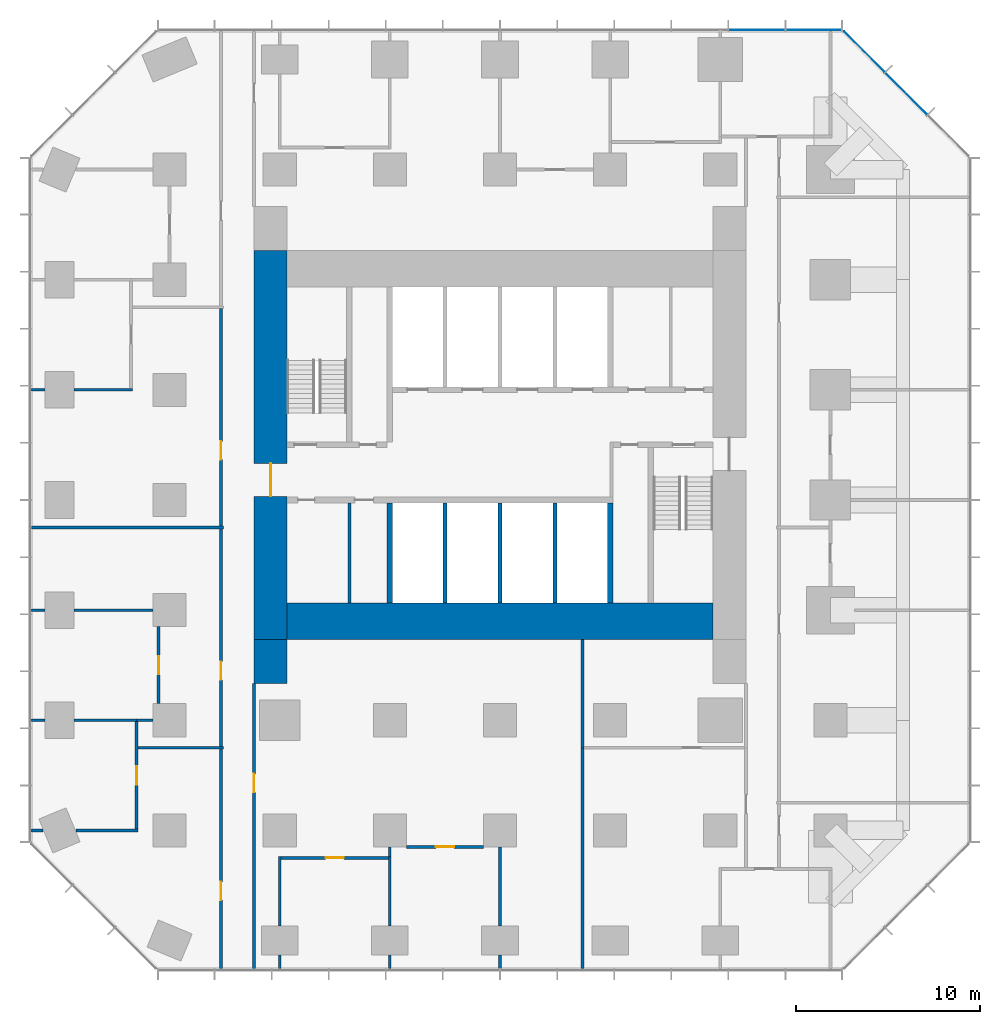
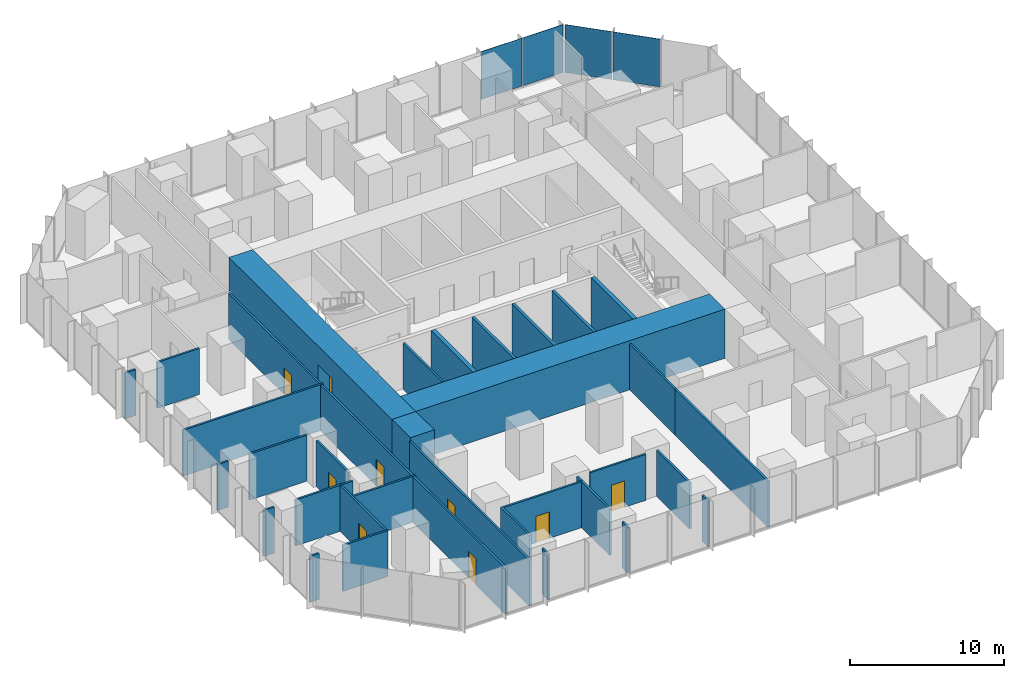
# One storey, part 8 of 12: 37 walls, 9 doors, 4 plates, 9 openings, 2 elements without a shape of their own.
"""IFC4 building model written with IfcOpenShell, lengths in metres."""

from ifc_helpers import new_model, si_unit, direction, frame, frame_2d, origin, origin_2d, place, context, subcontext, project, spatial, rectangle, extrude, material, layer, layer_set, type_object, element, fill, aggregate, save


model = new_model("IFC4")

# Units and contexts
model_context = context("Model", 3, precision=1e-05, world=origin(), true_north=direction((0.0, 1.0)))
body_context = subcontext(model_context, "Body", "Model", "MODEL_VIEW")
ifc_project = project(units=[si_unit("LENGTHUNIT", "METRE"), si_unit("AREAUNIT", "SQUARE_METRE"), si_unit("VOLUMEUNIT", "CUBIC_METRE"), si_unit("PLANEANGLEUNIT", "RADIAN"), si_unit("MASSUNIT", "GRAM", prefix="KILO")], contexts=[model_context])

# Site, building, storey
site_placement = place(None, origin())
site = spatial("IfcSite", under=ifc_project, at=site_placement, CompositionType="ELEMENT")
building_placement = place(site_placement, origin())
building = spatial("IfcBuilding", under=site, at=building_placement, Name="Highveld Stack Headquarters", CompositionType="ELEMENT")
storey_placement = place(building_placement, frame((0.0, 0.0, 53.300048828125)))
storey = spatial("IfcBuildingStorey", under=building, at=storey_placement, Name="L12", CompositionType="ELEMENT", Elevation=53.300048828125)

# Curtain wall, plates
ifc_material_1 = material(Name="Aluminium bronze anodised", Category="aluminium")
ifc_layer_1 = layer(ifc_material_1, 0.199951171875)
ifc_layer_set_1 = layer_set([ifc_layer_1], Name="Aluminium bronze anodised")
curtain_wall_type_1 = type_object("IfcCurtainWallType", Name="CW1 TOWER UNITISED CURTAIN WALL", PredefinedType="NOTDEFINED", material=ifc_layer_set_1)
curtain_wall_1_placement = place(storey_placement, origin())
curtain_wall_1 = element("IfcCurtainWall", 1, at=curtain_wall_1_placement, inside=storey, type_object=curtain_wall_type_1, Name="Curtain wall CW1 L12 N", PredefinedType="NOTDEFINED")
ifc_material_2 = material(Name="Glass bronze tinted double glazed unit", Category="glass")
ifc_layer_2 = layer(ifc_material_2, 0.028076171875)
ifc_layer_set_2 = layer_set([ifc_layer_2], Name="Glass bronze tinted double glazed unit")
plate_type_1 = type_object("IfcPlateType", Name="CW1 PANEL BRONZE TINTED DOUBLE GLAZED UNIT", PredefinedType="CURTAIN_PANEL", material=ifc_layer_set_2)
plate_1_placement = place(storey_placement, frame((23.09130859375, 25.60009765625, 0.10009765625), z_axis=(0.0, 0.0, 1.0), x_axis=(-1.0, 0.0, 0.0)))
plate_1 = element("IfcPlate", 2, at=plate_1_placement, type_object=plate_type_1, Name="CW1 panel L12 1.1", PredefinedType="CURTAIN_PANEL", context=body_context, shape_type="SweptSolid", body=[
    extrude(rectangle(XDim=3.012939453125, YDim=0.028076171875, at=origin_2d()), origin(), (0.0, 0.0, 1.0), 3.800048828125),
])
plate_2_placement = place(storey_placement, frame((19.9970703125, 25.60009765625, 0.10009765625), z_axis=(0.0, 0.0, 1.0), x_axis=(-1.0, 0.0, 0.0)))
plate_2 = element("IfcPlate", 3, at=plate_2_placement, type_object=plate_type_1, Name="CW1 panel L12 2.1", PredefinedType="CURTAIN_PANEL", context=body_context, shape_type="SweptSolid", body=[
    extrude(rectangle(XDim=3.04541015625, YDim=0.028076171875, at=origin_2d()), origin(), (0.0, 0.0, 1.0), 3.800048828125),
])
aggregate(curtain_wall_1, [plate_1, plate_2])

ifc_material_3 = material(Name="Aluminium bronze anodised", Category="aluminium")
ifc_layer_3 = layer(ifc_material_3, 0.199951171875)
ifc_layer_set_3 = layer_set([ifc_layer_3], Name="Aluminium bronze anodised")
curtain_wall_type_2 = type_object("IfcCurtainWallType", Name="CW2 TOWER CHAMFER UNITISED CURTAIN WALL", PredefinedType="NOTDEFINED", material=ifc_layer_set_3)
curtain_wall_2_placement = place(storey_placement, origin())
curtain_wall_2 = element("IfcCurtainWall", 4, at=curtain_wall_2_placement, inside=storey, type_object=curtain_wall_type_2, Name="Curtain wall CW2 L12 NE", PredefinedType="NOTDEFINED")
ifc_material_4 = material(Name="Glass bronze tinted double glazed unit", Category="glass")
ifc_layer_4 = layer(ifc_material_4, 0.028076171875)
ifc_layer_set_4 = layer_set([ifc_layer_4], Name="Glass bronze tinted double glazed unit")
plate_type_2 = type_object("IfcPlateType", Name="CW2 PANEL BRONZE TINTED DOUBLE GLAZED UNIT", PredefinedType="CURTAIN_PANEL", material=ifc_layer_set_4)
plate_3_placement = place(storey_placement, frame((28.13134765625, 22.13134765625, 0.10009765625), z_axis=(0.0, 0.0, 1.0), x_axis=(-0.707106781187, 0.707106781187, 0.0)))
plate_3 = element("IfcPlate", 5, at=plate_3_placement, type_object=plate_type_2, Name="CW2 panel L12 2.1", PredefinedType="CURTAIN_PANEL", context=body_context, shape_type="SweptSolid", body=[
    extrude(rectangle(XDim=3.205322265625, YDim=0.028076171875, at=origin_2d()), origin(), (0.0, 0.0, 1.0), 3.800048828125),
])
plate_4_placement = place(storey_placement, frame((25.8427734375, 24.419921875, 0.10009765625), z_axis=(0.0, 0.0, 1.0), x_axis=(-0.707106781187, 0.707106781187, 0.0)))
plate_4 = element("IfcPlate", 6, at=plate_4_placement, type_object=plate_type_2, Name="CW2 panel L12 3.1", PredefinedType="CURTAIN_PANEL", context=body_context, shape_type="SweptSolid", body=[
    extrude(rectangle(XDim=3.1376953125, YDim=0.028076171875, at=origin_2d()), origin(), (0.0, 0.0, 1.0), 3.800048828125),
])
aggregate(curtain_wall_2, [plate_3, plate_4])

# Wall, opening, door
ifc_material_5 = material(Name="Concrete C60/75", Category="concrete")
ifc_layer_5 = layer(ifc_material_5, 1.800048828125)
ifc_layer_set_5 = layer_set([ifc_layer_5], Name="Concrete C60/75")
wall_type_1 = type_object("IfcWallType", Name="CORE WALL 1800 C60/75", PredefinedType="SHEAR", material=ifc_layer_set_5)
wall_1_placement = place(storey_placement, frame((-6.5, -7.60009765625, 0.0), z_axis=(0.0, 0.0, 1.0), x_axis=(0.0, 1.0, 0.0)))
wall_1 = element("IfcWall", 7, at=wall_1_placement, inside=storey, type_object=wall_type_1, Name="Core wall W L12", PredefinedType="SHEAR", context=body_context, shape_type="SweptSolid", body=[
    extrude(rectangle(XDim=21.2001953125, YDim=1.800048828125, at=frame_2d((10.60009765625, 0.0))), origin(), (0.0, 0.0, 1.0), 3.89990234375),
])
opening_1_placement = place(wall_1_placement, frame((7.800048828125, 0.0, 0.0)))
opening_1 = element("IfcOpeningElement", 8, at=opening_1_placement, cuts=wall_1, Name="Opening L12-01", PredefinedType="OPENING", context=body_context, shape_type="SweptSolid", body=[
    extrude(rectangle(XDim=1.800048828125, YDim=2.39990234375, at=frame_2d((0.89990234375, 1.199951171875))), frame((0.0, 0.909912109375, 0.0), z_axis=(0.0, -1.0, 0.0), x_axis=(1.0, 0.0, 0.0)), (0.0, 0.0, 1.0), 1.820068359375),
])
ifc_material_6 = material(Name="Steel fire door", Category="steel")
door_type_1 = type_object("IfcDoorType", Name="LOBBY FIRE DOOR D4 1800x2400", OperationType="DOUBLE_DOOR_SINGLE_SWING", PredefinedType="DOOR", material=ifc_material_6)
door_1_placement = place(opening_1_placement, origin())
door_1 = element("IfcDoor", 9, at=door_1_placement, inside=storey, type_object=door_type_1, Name="Core west door L12", OperationType="DOUBLE_DOOR_SINGLE_SWING", OverallHeight=2.39990234375, OverallWidth=1.800048828125, PredefinedType="DOOR", context=body_context, shape_type="SweptSolid", body=[
    extrude(rectangle(XDim=1.800048828125, YDim=2.39990234375, at=frame_2d((0.89990234375, 1.199951171875))), frame((0.0, 0.02490234375, 0.0), z_axis=(0.0, -1.0, 0.0), x_axis=(1.0, 0.0, 0.0)), (0.0, 0.0, 1.0), 0.050048828125),
])
fill(opening_1, door_1)

# Walls
ifc_material_7 = material(Name="Concrete C60/75", Category="concrete")
ifc_layer_6 = layer(ifc_material_7, 2.0)
ifc_layer_set_6 = layer_set([ifc_layer_6], Name="Concrete C60/75")
wall_type_2 = type_object("IfcWallType", Name="CORE WALL 2000 C60/75", PredefinedType="SHEAR", material=ifc_layer_set_6)
wall_2_placement = place(storey_placement, frame((-5.60009765625, -6.60009765625, 0.0), z_axis=(0.0, 0.0, 1.0), x_axis=(1.0, 0.0, 0.0)))
element("IfcWall", 10, at=wall_2_placement, inside=storey, type_object=wall_type_2, Name="Core wall S L12", PredefinedType="SHEAR", context=body_context, shape_type="SweptSolid", body=[
    extrude(rectangle(XDim=23.2001953125, YDim=2.0, at=frame_2d((11.60009765625, 0.0))), origin(), (0.0, 0.0, 1.0), 3.89990234375),
])
ifc_material_8 = material(Name="Concrete C60/75", Category="concrete")
ifc_layer_7 = layer(ifc_material_8, 0.300048828125)
ifc_layer_set_7 = layer_set([ifc_layer_7], Name="Concrete C60/75")
wall_type_3 = type_object("IfcWallType", Name="CORE WALL 300 C60/75", PredefinedType="SHEAR", material=ifc_layer_set_7)
for number, where, z_axis, x_axis, name in (
    (11, (0.0, -5.60009765625, 0.0), (0.0, 0.0, 1.0), (0.0, 1.0, 0.0), "Core wall I-X0S L12"),
    (12, (12.0, -5.60009765625, 0.0), (0.0, 0.0, 1.0), (0.0, 1.0, 0.0), "Core wall I-X12S L12"),
):
    element("IfcWall", number, at=place(storey_placement, frame(where, z_axis=z_axis, x_axis=x_axis)), inside=storey, type_object=wall_type_3, Name=name, PredefinedType="SHEAR", context=body_context, shape_type="SweptSolid", body=[
        extrude(rectangle(XDim=5.4501953125, YDim=0.300048828125, at=frame_2d((2.72509765625, 0.0))), origin(), (0.0, 0.0, 1.0), 3.89990234375),
    ])
ifc_material_9 = material(Name="Concrete C60/75", Category="concrete")
ifc_layer_8 = layer(ifc_material_9, 1.800048828125)
ifc_layer_set_8 = layer_set([ifc_layer_8], Name="Concrete C60/75")
wall_type_4 = type_object("IfcWallType", Name="CORE WING WALL 1800 C60/75", PredefinedType="SHEAR", material=ifc_layer_set_8)
wall_3_placement = place(storey_placement, frame((-6.5, -10.0, 0.0), z_axis=(0.0, 0.0, 1.0), x_axis=(0.0, 1.0, 0.0)))
element("IfcWall", 13, at=wall_3_placement, inside=storey, type_object=wall_type_4, Name="Core wing wall WS L12", PredefinedType="SHEAR", context=body_context, shape_type="SweptSolid", body=[
    extrude(rectangle(XDim=2.39990234375, YDim=1.800048828125, at=frame_2d((1.199951171875, 0.0))), origin(), (0.0, 0.0, 1.0), 3.89990234375),
])

# Wall, opening, door
ifc_material_10 = material(Name="Laminated glass in aluminium frame", Category="aluminium")
ifc_layer_9 = layer(ifc_material_10, 0.14990234375)
ifc_layer_set_9 = layer_set([ifc_layer_9], Name="Laminated glass in aluminium frame")
wall_type_5 = type_object("IfcWallType", Name="GLAZED PARTITION 150", PredefinedType="PARTITIONING", material=ifc_layer_set_9)
wall_4_placement = place(storey_placement, frame((-12.60009765625, -11.10009765625, 0.0), z_axis=(0.0, 0.0, 1.0), x_axis=(0.0, 1.0, 0.0)))
wall_4 = element("IfcWall", 14, at=wall_4_placement, inside=storey, type_object=wall_type_5, Name="Glazed partition Video conference room L12", PredefinedType="PARTITIONING", context=body_context, shape_type="SweptSolid", body=[
    extrude(rectangle(XDim=4.2001953125, YDim=0.14990234375, at=frame_2d((2.10009765625, 0.0))), origin(), (0.0, 0.0, 1.0), 3.64990234375),
])
opening_2_placement = place(wall_4_placement, frame((1.60009765625, 0.0, 0.0)))
opening_2 = element("IfcOpeningElement", 15, at=opening_2_placement, cuts=wall_4, Name="Opening L12-15", PredefinedType="OPENING", context=body_context, shape_type="SweptSolid", body=[
    extrude(rectangle(XDim=1.0, YDim=2.10009765625, at=frame_2d((0.5, 1.050048828125))), frame((0.0, 0.0849609375, 0.0), z_axis=(0.0, -1.0, 0.0), x_axis=(1.0, 0.0, 0.0)), (0.0, 0.0, 1.0), 0.169921875),
])
ifc_material_11 = material(Name="Timber door, oiled ash", Category="wood")
door_type_2 = type_object("IfcDoorType", Name="ROOM DOOR D6 1000x2100", OperationType="SINGLE_SWING_LEFT", PredefinedType="DOOR", material=ifc_material_11)
door_2_placement = place(opening_2_placement, origin())
door_2 = element("IfcDoor", 16, at=door_2_placement, inside=storey, type_object=door_type_2, Name="Video conference room door 1 L12", OperationType="SINGLE_SWING_LEFT", OverallHeight=2.10009765625, OverallWidth=1.0, PredefinedType="DOOR", context=body_context, shape_type="SweptSolid", body=[
    extrude(rectangle(XDim=1.0, YDim=2.10009765625, at=frame_2d((0.5, 1.050048828125))), frame((0.0, 0.02490234375, 0.0), z_axis=(0.0, -1.0, 0.0), x_axis=(1.0, 0.0, 0.0)), (0.0, 0.0, 1.0), 0.050048828125),
])
fill(opening_2, door_2)

# Walls
ifc_material_12 = material(Name="Concrete blockwork, fair-faced", Category="masonry")
ifc_layer_10 = layer(ifc_material_12, 0.199951171875)
ifc_layer_set_10 = layer_set([ifc_layer_10], Name="Concrete blockwork, fair-faced")
wall_type_6 = type_object("IfcWallType", Name="LIFT SHAFT ENCLOSURE WALL 200 BLOCKWORK", PredefinedType="SOLIDWALL", material=ifc_layer_set_10)
for number, where, z_axis, x_axis, name in (
    (17, (3.0, -5.60009765625, 0.0), (0.0, 0.0, 1.0), (0.0, 1.0, 0.0), "Lift shaft wall L12"),
    (18, (6.0, -5.60009765625, 0.0), (0.0, 0.0, 1.0), (0.0, 1.0, 0.0), "Lift shaft wall L12"),
    (19, (9.0, -5.60009765625, 0.0), (0.0, 0.0, 1.0), (0.0, 1.0, 0.0), "Lift shaft wall L12"),
):
    element("IfcWall", number, at=place(storey_placement, frame(where, z_axis=z_axis, x_axis=x_axis)), inside=storey, type_object=wall_type_6, Name=name, PredefinedType="SOLIDWALL", context=body_context, shape_type="SweptSolid", body=[
        extrude(rectangle(XDim=5.4501953125, YDim=0.199951171875, at=frame_2d((2.72509765625, 0.0))), origin(), (0.0, 0.0, 1.0), 3.89990234375),
    ])

# Wall, opening, door
ifc_material_13 = material(Name="Gypsum plasterboard on steel studs", Category="steel")
ifc_layer_11 = layer(ifc_material_13, 0.14990234375)
ifc_layer_set_11 = layer_set([ifc_layer_11], Name="Gypsum plasterboard on steel studs")
wall_type_7 = type_object("IfcWallType", Name="PARTITION 150 PLASTERBOARD", PredefinedType="PARTITIONING", material=ifc_layer_set_11)
wall_5_placement = place(storey_placement, frame((-5.925048828125, -19.5, 0.0), z_axis=(0.0, 0.0, 1.0), x_axis=(1.0, 0.0, 0.0)))
wall_5 = element("IfcWall", 20, at=wall_5_placement, inside=storey, type_object=wall_type_7, Name="Partition Quiet room L12", PredefinedType="PARTITIONING", context=body_context, shape_type="SweptSolid", body=[
    extrude(rectangle(XDim=5.85009765625, YDim=0.14990234375, at=frame_2d((2.925048828125, 0.0))), origin(), (0.0, 0.0, 1.0), 3.64990234375),
])
opening_3_placement = place(wall_5_placement, frame((2.425048828125, 0.0, 0.0)))
opening_3 = element("IfcOpeningElement", 21, at=opening_3_placement, cuts=wall_5, Name="Opening L12-11", PredefinedType="OPENING", context=body_context, shape_type="SweptSolid", body=[
    extrude(rectangle(XDim=1.0, YDim=2.10009765625, at=frame_2d((0.5, 1.050048828125))), frame((0.0, 0.0849609375, 0.0), z_axis=(0.0, -1.0, 0.0), x_axis=(1.0, 0.0, 0.0)), (0.0, 0.0, 1.0), 0.169921875),
])
door_3_placement = place(opening_3_placement, origin())
door_3 = element("IfcDoor", 22, at=door_3_placement, inside=storey, type_object=door_type_2, Name="Quiet room door 1 L12", OperationType="SINGLE_SWING_LEFT", OverallHeight=2.10009765625, OverallWidth=1.0, PredefinedType="DOOR", context=body_context, shape_type="SweptSolid", body=[
    extrude(rectangle(XDim=1.0, YDim=2.10009765625, at=frame_2d((0.5, 1.050048828125))), frame((0.0, 0.02490234375, 0.0), z_axis=(0.0, -1.0, 0.0), x_axis=(1.0, 0.0, 0.0)), (0.0, 0.0, 1.0), 0.050048828125),
])
fill(opening_3, door_3)

wall_6_placement = place(storey_placement, frame((0.89990234375, -18.89990234375, 0.0), z_axis=(0.0, 0.0, 1.0), x_axis=(1.0, 0.0, 0.0)))
wall_6 = element("IfcWall", 23, at=wall_6_placement, inside=storey, type_object=wall_type_7, Name="Partition Interview room L12", PredefinedType="PARTITIONING", context=body_context, shape_type="SweptSolid", body=[
    extrude(rectangle(XDim=4.2001953125, YDim=0.14990234375, at=frame_2d((2.10009765625, 0.0))), origin(), (0.0, 0.0, 1.0), 3.64990234375),
])
opening_4_placement = place(wall_6_placement, frame((1.60009765625, 0.0, 0.0)))
opening_4 = element("IfcOpeningElement", 24, at=opening_4_placement, cuts=wall_6, Name="Opening L12-12", PredefinedType="OPENING", context=body_context, shape_type="SweptSolid", body=[
    extrude(rectangle(XDim=1.0, YDim=2.10009765625, at=frame_2d((0.5, 1.050048828125))), frame((0.0, 0.0849609375, 0.0), z_axis=(0.0, -1.0, 0.0), x_axis=(1.0, 0.0, 0.0)), (0.0, 0.0, 1.0), 0.169921875),
])
door_4_placement = place(opening_4_placement, origin())
door_4 = element("IfcDoor", 25, at=door_4_placement, inside=storey, type_object=door_type_2, Name="Interview room door 1 L12", OperationType="SINGLE_SWING_RIGHT", OverallHeight=2.10009765625, OverallWidth=1.0, PredefinedType="DOOR", context=body_context, shape_type="SweptSolid", body=[
    extrude(rectangle(XDim=1.0, YDim=2.10009765625, at=frame_2d((0.5, 1.050048828125))), frame((0.0, 0.02490234375, 0.0), z_axis=(0.0, -1.0, 0.0), x_axis=(1.0, 0.0, 0.0)), (0.0, 0.0, 1.0), 0.050048828125),
])
fill(opening_4, door_4)

# Walls
wall_7_placement = place(storey_placement, frame((-19.60009765625, -18.0, 0.0), z_axis=(0.0, 0.0, 1.0), x_axis=(1.0, 0.0, 0.0)))
element("IfcWall", 26, at=wall_7_placement, inside=storey, type_object=wall_type_7, Name="Partition Print room L12", PredefinedType="PARTITIONING", context=body_context, shape_type="SweptSolid", body=[
    extrude(rectangle(XDim=0.703125, YDim=0.14990234375, at=frame_2d((0.3515625, 0.0))), origin(), (0.0, 0.0, 1.0), 3.64990234375),
])
wall_8_placement = place(storey_placement, frame((-17.10302734375, -18.0, 0.0), z_axis=(0.0, 0.0, 1.0), x_axis=(1.0, 0.0, 0.0)))
element("IfcWall", 27, at=wall_8_placement, inside=storey, type_object=wall_type_7, Name="Partition Print room L12", PredefinedType="PARTITIONING", context=body_context, shape_type="SweptSolid", body=[
    extrude(rectangle(XDim=3.3779296875, YDim=0.14990234375, at=frame_2d((1.68896484375, 0.0))), origin(), (0.0, 0.0, 1.0), 3.64990234375),
])
wall_9_placement = place(storey_placement, frame((-19.60009765625, -12.0, 0.0), z_axis=(0.0, 0.0, 1.0), x_axis=(1.0, 0.0, 0.0)))
element("IfcWall", 28, at=wall_9_placement, inside=storey, type_object=wall_type_7, Name="Partition Print room / Video conference room L12", PredefinedType="PARTITIONING", context=body_context, shape_type="SweptSolid", body=[
    extrude(rectangle(XDim=0.800048828125, YDim=0.14990234375, at=frame_2d((0.39990234375, 0.0))), origin(), (0.0, 0.0, 1.0), 3.64990234375),
])
wall_10_placement = place(storey_placement, frame((-17.199951171875, -12.0, 0.0), z_axis=(0.0, 0.0, 1.0), x_axis=(1.0, 0.0, 0.0)))
element("IfcWall", 29, at=wall_10_placement, inside=storey, type_object=wall_type_7, Name="Partition Print room / Video conference room L12", PredefinedType="PARTITIONING", context=body_context, shape_type="SweptSolid", body=[
    extrude(rectangle(XDim=3.474853515625, YDim=0.14990234375, at=frame_2d((1.7373046875, 0.0))), origin(), (0.0, 0.0, 1.0), 3.64990234375),
])
wall_11_placement = place(storey_placement, frame((-13.800048828125, -12.0, 0.0), z_axis=(0.0, 0.0, 1.0), x_axis=(1.0, 0.0, 0.0)))
element("IfcWall", 30, at=wall_11_placement, inside=storey, type_object=wall_type_7, Name="Partition Video conference room L12", PredefinedType="PARTITIONING", context=body_context, shape_type="SweptSolid", body=[
    extrude(rectangle(XDim=0.900146484375, YDim=0.14990234375, at=frame_2d((0.4501953125, 0.0))), origin(), (0.0, 0.0, 1.0), 3.64990234375),
])
wall_12_placement = place(storey_placement, frame((-19.60009765625, -6.0, 0.0), z_axis=(0.0, 0.0, 1.0), x_axis=(1.0, 0.0, 0.0)))
element("IfcWall", 31, at=wall_12_placement, inside=storey, type_object=wall_type_7, Name="Partition Video conference room L12", PredefinedType="PARTITIONING", context=body_context, shape_type="SweptSolid", body=[
    extrude(rectangle(XDim=0.800048828125, YDim=0.14990234375, at=frame_2d((0.39990234375, 0.0))), origin(), (0.0, 0.0, 1.0), 3.64990234375),
])
wall_13_placement = place(storey_placement, frame((-17.199951171875, -6.0, 0.0), z_axis=(0.0, 0.0, 1.0), x_axis=(1.0, 0.0, 0.0)))
element("IfcWall", 32, at=wall_13_placement, inside=storey, type_object=wall_type_7, Name="Partition Video conference room L12", PredefinedType="PARTITIONING", context=body_context, shape_type="SweptSolid", body=[
    extrude(rectangle(XDim=4.300048828125, YDim=0.14990234375, at=frame_2d((2.14990234375, 0.0))), origin(), (0.0, 0.0, 1.0), 3.64990234375),
])
wall_14_placement = place(storey_placement, frame((-19.60009765625, 6.0, 0.0), z_axis=(0.0, 0.0, 1.0), x_axis=(1.0, 0.0, 0.0)))
element("IfcWall", 33, at=wall_14_placement, inside=storey, type_object=wall_type_7, Name="Partition Focus room L12", PredefinedType="PARTITIONING", context=body_context, shape_type="SweptSolid", body=[
    extrude(rectangle(XDim=0.800048828125, YDim=0.14990234375, at=frame_2d((0.39990234375, 0.0))), origin(), (0.0, 0.0, 1.0), 3.64990234375),
])
wall_15_placement = place(storey_placement, frame((-17.199951171875, 6.0, 0.0), z_axis=(0.0, 0.0, 1.0), x_axis=(1.0, 0.0, 0.0)))
element("IfcWall", 34, at=wall_15_placement, inside=storey, type_object=wall_type_7, Name="Partition Focus room L12", PredefinedType="PARTITIONING", context=body_context, shape_type="SweptSolid", body=[
    extrude(rectangle(XDim=3.175048828125, YDim=0.14990234375, at=frame_2d((1.58740234375, 0.0))), origin(), (0.0, 0.0, 1.0), 3.64990234375),
])

# Wall, opening, door
wall_16_placement = place(storey_placement, frame((-13.800048828125, -17.925048828125, 0.0), z_axis=(0.0, 0.0, 1.0), x_axis=(0.0, 1.0, 0.0)))
wall_16 = element("IfcWall", 35, at=wall_16_placement, inside=storey, type_object=wall_type_7, Name="Partition Print room L12", PredefinedType="PARTITIONING", context=body_context, shape_type="SweptSolid", body=[
    extrude(rectangle(XDim=5.85009765625, YDim=0.14990234375, at=frame_2d((2.925048828125, 0.0))), origin(), (0.0, 0.0, 1.0), 3.64990234375),
])
opening_5_placement = place(wall_16_placement, frame((2.425048828125, 0.0, 0.0)))
opening_5 = element("IfcOpeningElement", 36, at=opening_5_placement, cuts=wall_16, Name="Opening L12-14", PredefinedType="OPENING", context=body_context, shape_type="SweptSolid", body=[
    extrude(rectangle(XDim=1.0, YDim=2.10009765625, at=frame_2d((0.5, 1.050048828125))), frame((0.0, 0.0849609375, 0.0), z_axis=(0.0, -1.0, 0.0), x_axis=(1.0, 0.0, 0.0)), (0.0, 0.0, 1.0), 0.169921875),
])
door_5_placement = place(opening_5_placement, origin())
door_5 = element("IfcDoor", 37, at=door_5_placement, inside=storey, type_object=door_type_2, Name="Print room door 1 L12", OperationType="SINGLE_SWING_LEFT", OverallHeight=2.10009765625, OverallWidth=1.0, PredefinedType="DOOR", context=body_context, shape_type="SweptSolid", body=[
    extrude(rectangle(XDim=1.0, YDim=2.10009765625, at=frame_2d((0.5, 1.050048828125))), frame((0.0, 0.02490234375, 0.0), z_axis=(0.0, -1.0, 0.0), x_axis=(1.0, 0.0, 0.0)), (0.0, 0.0, 1.0), 0.050048828125),
])
fill(opening_5, door_5)

# Walls
wall_17_placement = place(storey_placement, frame((-6.0, -25.60009765625, 0.0), z_axis=(0.0, 0.0, 1.0), x_axis=(0.0, 1.0, 0.0)))
element("IfcWall", 38, at=wall_17_placement, inside=storey, type_object=wall_type_7, Name="Partition Quiet room L12", PredefinedType="PARTITIONING", context=body_context, shape_type="SweptSolid", body=[
    extrude(rectangle(XDim=0.800048828125, YDim=0.14990234375, at=frame_2d((0.39990234375, 0.0))), origin(), (0.0, 0.0, 1.0), 3.64990234375),
])
wall_18_placement = place(storey_placement, frame((-6.0, -23.199951171875, 0.0), z_axis=(0.0, 0.0, 1.0), x_axis=(0.0, 1.0, 0.0)))
element("IfcWall", 39, at=wall_18_placement, inside=storey, type_object=wall_type_7, Name="Partition Quiet room L12", PredefinedType="PARTITIONING", context=body_context, shape_type="SweptSolid", body=[
    extrude(rectangle(XDim=3.77490234375, YDim=0.14990234375, at=frame_2d((1.887451171875, 0.0))), origin(), (0.0, 0.0, 1.0), 3.64990234375),
])
wall_19_placement = place(storey_placement, frame((0.0, -25.60009765625, 0.0), z_axis=(0.0, 0.0, 1.0), x_axis=(0.0, 1.0, 0.0)))
element("IfcWall", 40, at=wall_19_placement, inside=storey, type_object=wall_type_7, Name="Partition Interview room / Quiet room L12", PredefinedType="PARTITIONING", context=body_context, shape_type="SweptSolid", body=[
    extrude(rectangle(XDim=0.800048828125, YDim=0.14990234375, at=frame_2d((0.39990234375, 0.0))), origin(), (0.0, 0.0, 1.0), 3.64990234375),
])
wall_20_placement = place(storey_placement, frame((0.0, -23.199951171875, 0.0), z_axis=(0.0, 0.0, 1.0), x_axis=(0.0, 1.0, 0.0)))
element("IfcWall", 41, at=wall_20_placement, inside=storey, type_object=wall_type_7, Name="Partition Interview room / Quiet room L12", PredefinedType="PARTITIONING", context=body_context, shape_type="SweptSolid", body=[
    extrude(rectangle(XDim=3.77490234375, YDim=0.14990234375, at=frame_2d((1.887451171875, 0.0))), origin(), (0.0, 0.0, 1.0), 3.64990234375),
])
wall_21_placement = place(storey_placement, frame((0.0, -19.425048828125, 0.0), z_axis=(0.0, 0.0, 1.0), x_axis=(0.0, 1.0, 0.0)))
element("IfcWall", 42, at=wall_21_placement, inside=storey, type_object=wall_type_7, Name="Partition Interview room L12", PredefinedType="PARTITIONING", context=body_context, shape_type="SweptSolid", body=[
    extrude(rectangle(XDim=0.525146484375, YDim=0.14990234375, at=frame_2d((0.2626953125, 0.0))), origin(), (0.0, 0.0, 1.0), 3.64990234375),
])
wall_22_placement = place(storey_placement, frame((6.0, -25.550048828125, 0.0), z_axis=(0.0, 0.0, 1.0), x_axis=(0.0, 1.0, 0.0)))
element("IfcWall", 43, at=wall_22_placement, inside=storey, type_object=wall_type_7, Name="Partition Interview room L12", PredefinedType="PARTITIONING", context=body_context, shape_type="SweptSolid", body=[
    extrude(rectangle(XDim=0.75, YDim=0.14990234375, at=frame_2d((0.375, 0.0))), origin(), (0.0, 0.0, 1.0), 3.64990234375),
])
wall_23_placement = place(storey_placement, frame((6.0, -23.199951171875, 0.0), z_axis=(0.0, 0.0, 1.0), x_axis=(0.0, 1.0, 0.0)))
element("IfcWall", 44, at=wall_23_placement, inside=storey, type_object=wall_type_7, Name="Partition Interview room L12", PredefinedType="PARTITIONING", context=body_context, shape_type="SweptSolid", body=[
    extrude(rectangle(XDim=4.300048828125, YDim=0.14990234375, at=frame_2d((2.14990234375, 0.0))), origin(), (0.0, 0.0, 1.0), 3.64990234375),
])
wall_24_placement = place(storey_placement, frame((-19.60009765625, -1.5, 0.0), z_axis=(0.0, 0.0, 1.0), x_axis=(1.0, 0.0, 0.0)))
element("IfcWall", 45, at=wall_24_placement, inside=storey, type_object=wall_type_7, Name="Partition office neighbourhood L12", PredefinedType="PARTITIONING", context=body_context, shape_type="SweptSolid", body=[
    extrude(rectangle(XDim=10.550048828125, YDim=0.14990234375, at=frame_2d((5.27490234375, 0.0))), origin(), (0.0, 0.0, 1.0), 3.64990234375),
])
wall_25_placement = place(storey_placement, frame((-13.72509765625, -13.5, 0.0), z_axis=(0.0, 0.0, 1.0), x_axis=(1.0, 0.0, 0.0)))
element("IfcWall", 46, at=wall_25_placement, inside=storey, type_object=wall_type_7, Name="Partition office neighbourhood L12", PredefinedType="PARTITIONING", context=body_context, shape_type="SweptSolid", body=[
    extrude(rectangle(XDim=4.675048828125, YDim=0.14990234375, at=frame_2d((2.33740234375, 0.0))), origin(), (0.0, 0.0, 1.0), 3.64990234375),
])

# Wall, opening, door
wall_26_placement = place(storey_placement, frame((-9.199951171875, -25.60009765625, 0.0), z_axis=(0.0, 0.0, 1.0), x_axis=(0.0, 1.0, 0.0)))
wall_26 = element("IfcWall", 47, at=wall_26_placement, inside=storey, type_object=wall_type_7, Name="Partition office neighbourhood L12", PredefinedType="PARTITIONING", context=body_context, shape_type="SweptSolid", body=[
    extrude(rectangle(XDim=12.025146484375, YDim=0.14990234375, at=frame_2d((6.0126953125, 0.0))), origin(), (0.0, 0.0, 1.0), 3.64990234375),
])
opening_6_placement = place(wall_26_placement, frame((3.800048828125, 0.0, 0.0)))
opening_6 = element("IfcOpeningElement", 48, at=opening_6_placement, cuts=wall_26, Name="Opening L12-24", PredefinedType="OPENING", context=body_context, shape_type="SweptSolid", body=[
    extrude(rectangle(XDim=1.0, YDim=2.10009765625, at=frame_2d((0.5, 1.050048828125))), frame((0.0, 0.0849609375, 0.0), z_axis=(0.0, -1.0, 0.0), x_axis=(1.0, 0.0, 0.0)), (0.0, 0.0, 1.0), 0.169921875),
])
door_6_placement = place(opening_6_placement, origin())
door_6 = element("IfcDoor", 49, at=door_6_placement, inside=storey, type_object=door_type_2, Name="Office neighbourhood door L12", OperationType="SINGLE_SWING_LEFT", OverallHeight=2.10009765625, OverallWidth=1.0, PredefinedType="DOOR", context=body_context, shape_type="SweptSolid", body=[
    extrude(rectangle(XDim=1.0, YDim=2.10009765625, at=frame_2d((0.5, 1.050048828125))), frame((0.0, 0.02490234375, 0.0), z_axis=(0.0, -1.0, 0.0), x_axis=(1.0, 0.0, 0.0)), (0.0, 0.0, 1.0), 0.050048828125),
])
fill(opening_6, door_6)

wall_27_placement = place(storey_placement, frame((-9.199951171875, -13.425048828125, 0.0), z_axis=(0.0, 0.0, 1.0), x_axis=(0.0, 1.0, 0.0)))
wall_27 = element("IfcWall", 50, at=wall_27_placement, inside=storey, type_object=wall_type_7, Name="Partition office neighbourhood L12", PredefinedType="PARTITIONING", context=body_context, shape_type="SweptSolid", body=[
    extrude(rectangle(XDim=11.85009765625, YDim=0.14990234375, at=frame_2d((5.925048828125, 0.0))), origin(), (0.0, 0.0, 1.0), 3.64990234375),
])
opening_7_placement = place(wall_27_placement, frame((3.625, 0.0, 0.0)))
opening_7 = element("IfcOpeningElement", 51, at=opening_7_placement, cuts=wall_27, Name="Opening L12-28", PredefinedType="OPENING", context=body_context, shape_type="SweptSolid", body=[
    extrude(rectangle(XDim=1.0, YDim=2.10009765625, at=frame_2d((0.5, 1.050048828125))), frame((0.0, 0.0849609375, 0.0), z_axis=(0.0, -1.0, 0.0), x_axis=(1.0, 0.0, 0.0)), (0.0, 0.0, 1.0), 0.169921875),
])
door_7_placement = place(opening_7_placement, origin())
door_7 = element("IfcDoor", 52, at=door_7_placement, inside=storey, type_object=door_type_2, Name="Office neighbourhood door L12", OperationType="SINGLE_SWING_LEFT", OverallHeight=2.10009765625, OverallWidth=1.0, PredefinedType="DOOR", context=body_context, shape_type="SweptSolid", body=[
    extrude(rectangle(XDim=1.0, YDim=2.10009765625, at=frame_2d((0.5, 1.050048828125))), frame((0.0, 0.02490234375, 0.0), z_axis=(0.0, -1.0, 0.0), x_axis=(1.0, 0.0, 0.0)), (0.0, 0.0, 1.0), 0.050048828125),
])
fill(opening_7, door_7)

wall_28_placement = place(storey_placement, frame((-9.199951171875, -1.425048828125, 0.0), z_axis=(0.0, 0.0, 1.0), x_axis=(0.0, 1.0, 0.0)))
wall_28 = element("IfcWall", 53, at=wall_28_placement, inside=storey, type_object=wall_type_7, Name="Partition office neighbourhood L12", PredefinedType="PARTITIONING", context=body_context, shape_type="SweptSolid", body=[
    extrude(rectangle(XDim=11.85009765625, YDim=0.14990234375, at=frame_2d((5.925048828125, 0.0))), origin(), (0.0, 0.0, 1.0), 3.64990234375),
])
opening_8_placement = place(wall_28_placement, frame((3.625, 0.0, 0.0)))
opening_8 = element("IfcOpeningElement", 54, at=opening_8_placement, cuts=wall_28, Name="Opening L12-29", PredefinedType="OPENING", context=body_context, shape_type="SweptSolid", body=[
    extrude(rectangle(XDim=1.0, YDim=2.10009765625, at=frame_2d((0.5, 1.050048828125))), frame((0.0, 0.0849609375, 0.0), z_axis=(0.0, -1.0, 0.0), x_axis=(1.0, 0.0, 0.0)), (0.0, 0.0, 1.0), 0.169921875),
])
door_8_placement = place(opening_8_placement, origin())
door_8 = element("IfcDoor", 55, at=door_8_placement, inside=storey, type_object=door_type_2, Name="Office neighbourhood door L12", OperationType="SINGLE_SWING_LEFT", OverallHeight=2.10009765625, OverallWidth=1.0, PredefinedType="DOOR", context=body_context, shape_type="SweptSolid", body=[
    extrude(rectangle(XDim=1.0, YDim=2.10009765625, at=frame_2d((0.5, 1.050048828125))), frame((0.0, 0.02490234375, 0.0), z_axis=(0.0, -1.0, 0.0), x_axis=(1.0, 0.0, 0.0)), (0.0, 0.0, 1.0), 0.050048828125),
])
fill(opening_8, door_8)

wall_29_placement = place(storey_placement, frame((-7.39990234375, -25.60009765625, 0.0), z_axis=(0.0, 0.0, 1.0), x_axis=(0.0, 1.0, 0.0)))
wall_29 = element("IfcWall", 56, at=wall_29_placement, inside=storey, type_object=wall_type_7, Name="Partition office neighbourhood L12", PredefinedType="PARTITIONING", context=body_context, shape_type="SweptSolid", body=[
    extrude(rectangle(XDim=15.60009765625, YDim=0.14990234375, at=frame_2d((7.800048828125, 0.0))), origin(), (0.0, 0.0, 1.0), 3.64990234375),
])
opening_9_placement = place(wall_29_placement, frame((9.675048828125, 0.0, 0.0)))
opening_9 = element("IfcOpeningElement", 57, at=opening_9_placement, cuts=wall_29, Name="Opening L12-26", PredefinedType="OPENING", context=body_context, shape_type="SweptSolid", body=[
    extrude(rectangle(XDim=1.0, YDim=2.10009765625, at=frame_2d((0.5, 1.050048828125))), frame((0.0, 0.0849609375, 0.0), z_axis=(0.0, -1.0, 0.0), x_axis=(1.0, 0.0, 0.0)), (0.0, 0.0, 1.0), 0.169921875),
])
door_9_placement = place(opening_9_placement, origin())
door_9 = element("IfcDoor", 58, at=door_9_placement, inside=storey, type_object=door_type_2, Name="Office neighbourhood door L12", OperationType="SINGLE_SWING_RIGHT", OverallHeight=2.10009765625, OverallWidth=1.0, PredefinedType="DOOR", context=body_context, shape_type="SweptSolid", body=[
    extrude(rectangle(XDim=1.0, YDim=2.10009765625, at=frame_2d((0.5, 1.050048828125))), frame((0.0, 0.02490234375, 0.0), z_axis=(0.0, -1.0, 0.0), x_axis=(1.0, 0.0, 0.0)), (0.0, 0.0, 1.0), 0.050048828125),
])
fill(opening_9, door_9)

# Walls
wall_30_placement = place(storey_placement, frame((10.5, -25.60009765625, 0.0), z_axis=(0.0, 0.0, 1.0), x_axis=(0.0, 1.0, 0.0)))
element("IfcWall", 59, at=wall_30_placement, inside=storey, type_object=wall_type_7, Name="Partition office neighbourhood L12", PredefinedType="PARTITIONING", context=body_context, shape_type="SweptSolid", body=[
    extrude(rectangle(XDim=12.175048828125, YDim=0.14990234375, at=frame_2d((6.08740234375, 0.0))), origin(), (0.0, 0.0, 1.0), 3.64990234375),
])
wall_31_placement = place(storey_placement, frame((10.5, -13.5, 0.0), z_axis=(0.0, 0.0, 1.0), x_axis=(0.0, 1.0, 0.0)))
element("IfcWall", 60, at=wall_31_placement, inside=storey, type_object=wall_type_7, Name="Partition office neighbourhood L12", PredefinedType="PARTITIONING", context=body_context, shape_type="SweptSolid", body=[
    extrude(rectangle(XDim=5.89990234375, YDim=0.14990234375, at=frame_2d((2.949951171875, 0.0))), origin(), (0.0, 0.0, 1.0), 3.64990234375),
])
ifc_material_14 = material(Name="Concrete blockwork, tiled", Category="masonry")
ifc_layer_12 = layer(ifc_material_14, 0.14990234375)
ifc_layer_set_12 = layer_set([ifc_layer_12], Name="Concrete blockwork, tiled")
wall_type_8 = type_object("IfcWallType", Name="WC PARTITION 150", PredefinedType="PLUMBINGWALL", material=ifc_layer_set_12)
wall_32_placement = place(storey_placement, frame((-2.199951171875, -5.60009765625, 0.0), z_axis=(0.0, 0.0, 1.0), x_axis=(0.0, 1.0, 0.0)))
element("IfcWall", 61, at=wall_32_placement, inside=storey, type_object=wall_type_8, Name="Toilet partition L12", PredefinedType="PLUMBINGWALL", context=body_context, shape_type="SweptSolid", body=[
    extrude(rectangle(XDim=5.4501953125, YDim=0.14990234375, at=frame_2d((2.72509765625, 0.0))), origin(), (0.0, 0.0, 1.0), 3.64990234375),
])

save(model, "model.ifc")
